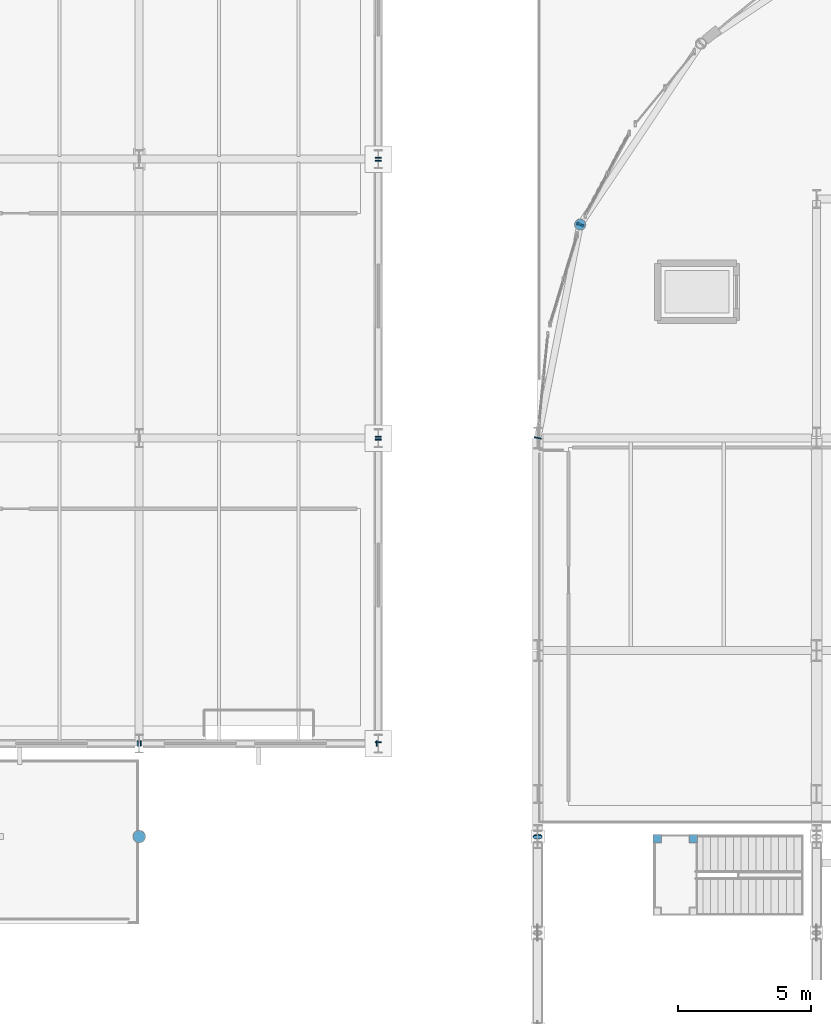
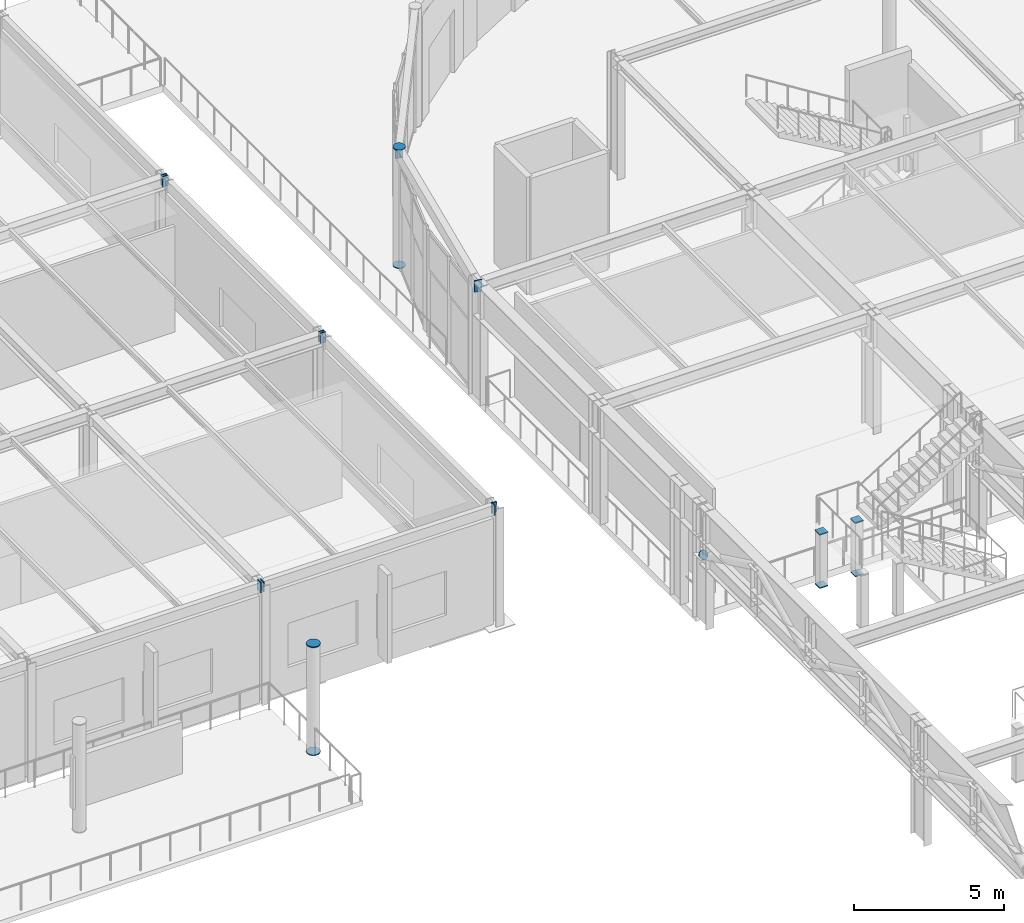
# One storey, part 102 of 143: 20 discrete accessories.
"""IFC4 building model written with IfcOpenShell, lengths in metres."""

from ifc_helpers import new_model, si_unit, direction, frame, origin, origin_2d, place, context, subcontext, project, spatial, rectangle, circle, extrude, material, element, save


model = new_model("IFC4")

# Units and contexts
model_context = context("Model", 3, precision=1e-05, world=origin(), true_north=direction((0.0, 1.0)))
body_context = subcontext(model_context, "Body", "Model", "MODEL_VIEW")
ifc_project = project(units=[si_unit("LENGTHUNIT", "METRE"), si_unit("AREAUNIT", "SQUARE_METRE"), si_unit("VOLUMEUNIT", "CUBIC_METRE"), si_unit("PLANEANGLEUNIT", "RADIAN"), si_unit("MASSUNIT", "GRAM", prefix="KILO")], contexts=[model_context])

# Site, building, storey
site_placement = place(None, origin())
site = spatial("IfcSite", under=ifc_project, at=site_placement, CompositionType="ELEMENT")
building_placement = place(site_placement, origin())
building = spatial("IfcBuilding", under=site, at=building_placement, Name="Marlcrest Central Station", CompositionType="ELEMENT")
storey_placement = place(building_placement, frame((0.0, 0.0, 4.800048828125)))
storey = spatial("IfcBuildingStorey", under=building, at=storey_placement, Name="L01", CompositionType="ELEMENT", Elevation=4.800048828125)

# Discrete accessories
ifc_material = material(Name="Steel S355", Category="steel")
for number, where, z_axis, x_axis, name in (
    (1, (71.925048828125, 99.0, 4.619873046875), (1.0, 0.0, 0.0), (0.0, 1.0, 0.0), "endcap-bm-SP-01-L01-00235-e"),
    (2, (72.03515625, 99.0, 4.619873046875), (1.0, 0.0, 0.0), (0.0, 1.0, 0.0), "endcap-bm-SP-01-L01-00236-s"),
    (3, (80.925048828125, 99.0, 4.619873046875), (1.0, 0.0, 0.0), (0.0, 1.0, 0.0), "endcap-bm-SP-01-L01-00236-e"),
    (4, (81.0, 99.03515625, 4.619873046875), (0.0, 1.0, 0.0), (-1.0, 0.0, 0.0), "endcap-bm-SP-01-L01-00291-s"),
    (5, (81.0, 110.425048828125, 4.619873046875), (0.0, 1.0, 0.0), (-1.0, 0.0, 0.0), "endcap-bm-SP-01-L01-00291-e"),
    (6, (81.0, 110.53515625, 4.619873046875), (0.0, 1.0, 0.0), (-1.0, 0.0, 0.0), "endcap-bm-SP-01-L01-00292-s"),
    (7, (81.0, 120.925048828125, 4.619873046875), (0.0, 1.0, 0.0), (-1.0, 0.0, 0.0), "endcap-bm-SP-01-L01-00292-e"),
    (8, (81.0, 121.03515625, 4.619873046875), (0.0, 1.0, 0.0), (-1.0, 0.0, 0.0), "endcap-bm-SP-01-L01-00293-s"),
):
    element("IfcDiscreteAccessory", number, at=place(storey_placement, frame(where, z_axis=z_axis, x_axis=x_axis)), inside=storey, material=ifc_material, Name=name, ObjectType="END_CAP_PLATE", PredefinedType="BRACKET", context=body_context, shape_type="SweptSolid", body=[
        extrude(rectangle(XDim=0.216064453125, YDim=0.416015625, at=origin_2d()), origin(), (0.0, 0.0, 1.0), 0.0400390625),
    ])
for number, where, z_axis, x_axis, name in (
    (9, (72.0, 95.5, -0.014892578125), (0.0, 0.0, 1.0), (1.0, 0.0, 0.0), "endcap-col-SC-11-L01-0501-s"),
    (10, (72.0, 95.5, 4.375), (0.0, 0.0, 1.0), (1.0, 0.0, 0.0), "endcap-col-SC-11-L01-0501-e"),
):
    element("IfcDiscreteAccessory", number, at=place(storey_placement, frame(where, z_axis=z_axis, x_axis=x_axis)), inside=storey, material=ifc_material, Name=name, ObjectType="END_CAP_PLATE", PredefinedType="BRACKET", context=body_context, shape_type="SweptSolid", body=[
        extrude(circle(Radius=0.236572265625, at=origin_2d()), origin(), (0.0, 0.0, 1.0), 0.0400390625),
    ])
discrete_accessory_placement = place(storey_placement, frame((87.0, 95.4775390625, 2.755859375), z_axis=(0.0, 0.900551636365, -0.434749065831), x_axis=(-1.0, 0.0, 0.0)))
element("IfcDiscreteAccessory", 11, at=discrete_accessory_placement, inside=storey, material=ifc_material, Name="endcap-mem-TD-01-L01-02166-e", ObjectType="END_CAP_PLATE", PredefinedType="BRACKET", context=body_context, shape_type="SweptSolid", body=[
    extrude(circle(Radius=0.169921875, at=origin_2d()), origin(), (0.0, 0.0, 1.0), 0.0400390625),
])
for number, where, z_axis, x_axis, name in (
    (12, (88.59912109375, 118.535888671875, -0.014892578125), (0.0, 0.0, 1.0), (1.0, 0.0, 0.0), "endcap-col-SC-10-L01-0844-s"),
    (13, (88.59912109375, 118.535888671875, 4.78515625), (0.0, 0.0, 1.0), (1.0, 0.0, 0.0), "endcap-col-SC-10-L01-0844-e"),
):
    element("IfcDiscreteAccessory", number, at=place(storey_placement, frame(where, z_axis=z_axis, x_axis=x_axis)), inside=storey, material=ifc_material, Name=name, ObjectType="END_CAP_PLATE", PredefinedType="BRACKET", context=body_context, shape_type="SweptSolid", body=[
        extrude(circle(Radius=0.211181640625, at=origin_2d()), origin(), (0.0, 0.0, 1.0), 0.0400390625),
    ])
for number, where, z_axis, x_axis, name in (
    (14, (86.9970703125, 110.4853515625, 4.58984375), (0.19517056122, 0.980769316421, 0.0), (-0.980769316421, 0.19517056122, 0.0), "endcap-bm-SP-02-L01-01458-s"),
    (15, (88.59423828125, 118.511474609375, 4.58984375), (0.19517056122, 0.980769316421, 0.0), (-0.980769316421, 0.19517056122, 0.0), "endcap-bm-SP-02-L01-01458-e"),
    (16, (88.5908203125, 118.5234375, 4.58984375), (0.55551129271, 0.831508991937, 0.0), (-0.831508991937, 0.55551129271, 0.0), "endcap-bm-SP-02-L01-01459-s"),
):
    element("IfcDiscreteAccessory", number, at=place(storey_placement, frame(where, z_axis=z_axis, x_axis=x_axis)), inside=storey, material=ifc_material, Name=name, ObjectType="END_CAP_PLATE", PredefinedType="BRACKET", context=body_context, shape_type="SweptSolid", body=[
        extrude(rectangle(XDim=0.26611328125, YDim=0.466064453125, at=origin_2d()), origin(), (0.0, 0.0, 1.0), 0.0400390625),
    ])
for number, where, z_axis, x_axis, name in (
    (17, (91.5, 95.419921875, -0.014892578125), (0.0, 0.0, 1.0), (1.0, 0.0, 0.0), "endcap-stcol-hi1-0027-915-954-s"),
    (18, (91.5, 95.419921875, 2.155029296875), (0.0, 0.0, 1.0), (1.0, 0.0, 0.0), "endcap-stcol-hi1-0027-915-954-e"),
    (19, (92.860107421875, 95.419921875, -0.014892578125), (0.0, 0.0, 1.0), (1.0, 0.0, 0.0), "endcap-stcol-hi1-0027-928-954-s"),
    (20, (92.860107421875, 95.419921875, 2.155029296875), (0.0, 0.0, 1.0), (1.0, 0.0, 0.0), "endcap-stcol-hi1-0027-928-954-e"),
):
    element("IfcDiscreteAccessory", number, at=place(storey_placement, frame(where, z_axis=z_axis, x_axis=x_axis)), inside=storey, material=ifc_material, Name=name, ObjectType="END_CAP_PLATE", PredefinedType="BRACKET", context=body_context, shape_type="SweptSolid", body=[
        extrude(rectangle(XDim=0.31591796875, YDim=0.31591796875, at=origin_2d()), origin(), (0.0, 0.0, 1.0), 0.0400390625),
    ])

save(model, "model.ifc")
